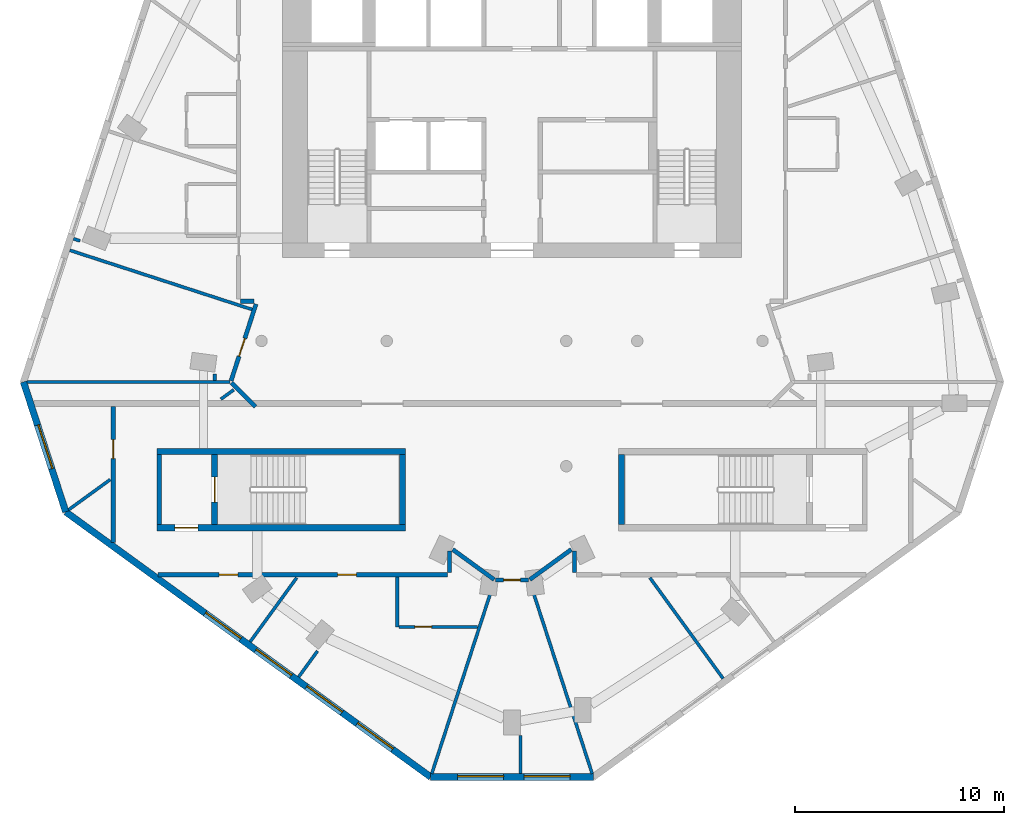
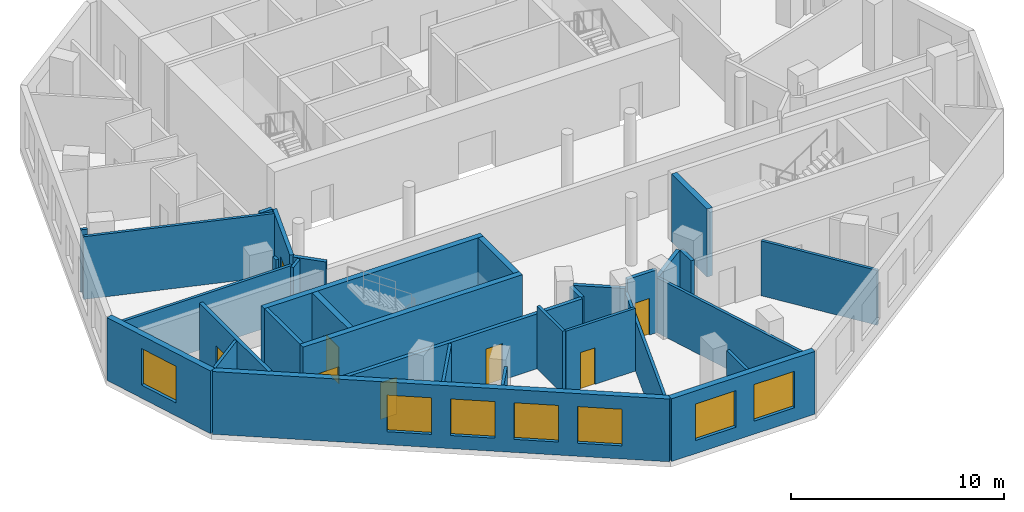
# One storey, part 2 of 8: 33 walls, 8 doors, 7 windows, 15 openings.
"""IFC4 building model written with IfcOpenShell, lengths in metres."""

from ifc_helpers import new_model, si_unit, direction, frame, frame_2d, origin, place, context, subcontext, project, spatial, rectangle, extrude, material, layer, layer_set, type_object, element, fill, save


model = new_model("IFC4")

# Units and contexts
model_context = context("Model", 3, precision=1e-05, world=origin(), true_north=direction((0.0, 1.0)))
body_context = subcontext(model_context, "Body", "Model", "MODEL_VIEW")
ifc_project = project(units=[si_unit("LENGTHUNIT", "METRE"), si_unit("AREAUNIT", "SQUARE_METRE"), si_unit("VOLUMEUNIT", "CUBIC_METRE"), si_unit("PLANEANGLEUNIT", "RADIAN"), si_unit("MASSUNIT", "GRAM", prefix="KILO")], contexts=[model_context])

# Site, building, storey
site_placement = place(None, origin())
site = spatial("IfcSite", under=ifc_project, at=site_placement, CompositionType="ELEMENT")
building_placement = place(site_placement, origin())
building = spatial("IfcBuilding", under=site, at=building_placement, Name="White Candle Pilgrim Tower", CompositionType="ELEMENT")
storey_placement = place(building_placement, frame((0.0, 0.0, 263.89990234375)))
storey = spatial("IfcBuildingStorey", under=building, at=storey_placement, Name="L62", CompositionType="ELEMENT", Elevation=263.89990234375)

# Wall
ifc_material_1 = material(Name="Concrete C50/60", Category="concrete")
ifc_layer_1 = layer(ifc_material_1, 0.199951171875)
ifc_layer_set_1 = layer_set([ifc_layer_1], Name="Core wall 200 mm Concrete C50/60")
wall_type_1 = type_object("IfcWallType", Name="Core wall 200 mm Concrete C50/60", PredefinedType="SHEAR", material=ifc_layer_set_1)
wall_1_placement = place(storey_placement, frame((53.10009765625, 58.199951171875, 0.0), z_axis=(0.0, 0.0, 1.0), x_axis=(0.0, 1.0, 0.0)))
element("IfcWall", 1, at=wall_1_placement, inside=storey, type_object=wall_type_1, Name="WL-L62-C03", PredefinedType="SHEAR", context=body_context, shape_type="SweptSolid", body=[
    extrude(rectangle(XDim=3.35009765625, YDim=0.199951171875, at=frame_2d((1.675048828125, 0.0))), origin(), (0.0, 0.0, 1.0), 3.900146484375),
])

# Wall, opening, door
ifc_material_2 = material(Name="Gypsum board on steel studs", Category="steel")
ifc_layer_2 = layer(ifc_material_2, 0.199951171875)
ifc_layer_set_2 = layer_set([ifc_layer_2], Name="Corridor wall 200 mm EI 45")
wall_type_2 = type_object("IfcWallType", Name="Corridor wall 200 mm EI 45", PredefinedType="PARTITIONING", material=ifc_layer_set_2)
wall_2_placement = place(storey_placement, frame((50.89990234375, 57.3544921875, 0.0), z_axis=(0.0, 0.0, 1.0), x_axis=(0.0, 1.0, 0.0)))
wall_2 = element("IfcWall", 2, at=wall_2_placement, inside=storey, type_object=wall_type_2, Name="WL-L62-P002", PredefinedType="PARTITIONING", context=body_context, shape_type="SweptSolid", body=[
    extrude(rectangle(XDim=6.49560546875, YDim=0.199951171875, at=frame_2d((3.247802734375, 0.0))), origin(), (0.0, 0.0, 1.0), 3.60009765625),
])
opening_1_placement = place(wall_2_placement, frame((4.0146484375, 0.0, 0.0)))
opening_1 = element("IfcOpeningElement", 3, at=opening_1_placement, cuts=wall_2, Name="Opening T19-113", PredefinedType="OPENING", context=body_context, shape_type="SweptSolid", body=[
    extrude(rectangle(XDim=0.89990234375, YDim=2.10009765625, at=frame_2d((0.449951171875, 1.050048828125))), frame((0.0, 0.10986328125, 0.0), z_axis=(0.0, -1.0, 0.0), x_axis=(1.0, 0.0, 0.0)), (0.0, 0.0, 1.0), 0.219970703125),
])
ifc_material_3 = material(Name="Steel door leaf", Category="steel")
door_type_1 = type_object("IfcDoorType", Name="Fire door 900 x 2100 EI 30", OperationType="NOTDEFINED", PredefinedType="DOOR", material=ifc_material_3)
door_1_placement = place(opening_1_placement, origin())
door_1 = element("IfcDoor", 4, at=door_1_placement, inside=storey, type_object=door_type_1, Name="Door T19-113", OperationType="SINGLE_SWING_LEFT", OverallHeight=2.10009765625, OverallWidth=0.89990234375, PredefinedType="DOOR", context=body_context, shape_type="SweptSolid", body=[
    extrude(rectangle(XDim=0.89990234375, YDim=2.10009765625, at=frame_2d((0.449951171875, 1.050048828125))), frame((0.0, 0.02490234375, 0.0), z_axis=(0.0, -1.0, 0.0), x_axis=(1.0, 0.0, 0.0)), (0.0, 0.0, 1.0), 0.050048828125),
])
fill(opening_1, door_1)

# Wall
wall_3_placement = place(storey_placement, frame((57.7099609375, 63.85009765625, 0.0), z_axis=(0.0, 0.0, 1.0), x_axis=(-0.70635124515, 0.707861510802, 0.0)))
element("IfcWall", 5, at=wall_3_placement, inside=storey, type_object=wall_type_2, Name="WL-L62-P003", PredefinedType="PARTITIONING", context=body_context, shape_type="SweptSolid", body=[
    extrude(rectangle(XDim=1.616455078125, YDim=0.199951171875, at=frame_2d((0.80810546875, 0.0))), origin(), (0.0, 0.0, 1.0), 3.60009765625),
])

# Wall, opening, door
wall_4_placement = place(storey_placement, frame((56.543701171875, 65.095947265625, 0.0), z_axis=(0.0, 0.0, 1.0), x_axis=(0.309050338142, 0.951045681602, 0.0)))
wall_4 = element("IfcWall", 6, at=wall_4_placement, inside=storey, type_object=wall_type_2, Name="WL-L62-P004", PredefinedType="PARTITIONING", context=body_context, shape_type="SweptSolid", body=[
    extrude(rectangle(XDim=3.862060546875, YDim=0.199951171875, at=frame_2d((1.93115234375, 0.0))), origin(), (0.0, 0.0, 1.0), 3.60009765625),
])
opening_2_placement = place(wall_4_placement, frame((1.231201171875, 0.0, 0.0)))
opening_2 = element("IfcOpeningElement", 7, at=opening_2_placement, cuts=wall_4, Name="Opening T19-114", PredefinedType="OPENING", context=body_context, shape_type="SweptSolid", body=[
    extrude(rectangle(XDim=0.89990234375, YDim=2.10009765625, at=frame_2d((0.449951171875, 1.050048828125))), frame((0.0, 0.10986328125, 0.0), z_axis=(0.0, -1.0, 0.0), x_axis=(1.0, 0.0, 0.0)), (0.0, 0.0, 1.0), 0.219970703125),
])
door_2_placement = place(opening_2_placement, origin())
door_2 = element("IfcDoor", 8, at=door_2_placement, inside=storey, type_object=door_type_1, Name="Door T19-114", OperationType="SINGLE_SWING_RIGHT", OverallHeight=2.10009765625, OverallWidth=0.89990234375, PredefinedType="DOOR", context=body_context, shape_type="SweptSolid", body=[
    extrude(rectangle(XDim=0.89990234375, YDim=2.10009765625, at=frame_2d((0.449951171875, 1.050048828125))), frame((0.0, 0.02490234375, 0.0), z_axis=(0.0, -1.0, 0.0), x_axis=(1.0, 0.0, 0.0)), (0.0, 0.0, 1.0), 0.050048828125),
])
fill(opening_2, door_2)

# Walls
wall_5_placement = place(storey_placement, frame((57.64208984375, 68.89990234375, 0.0), z_axis=(0.0, 0.0, 1.0), x_axis=(-1.0, 0.0, 0.0)))
element("IfcWall", 9, at=wall_5_placement, inside=storey, type_object=wall_type_2, Name="WL-L62-P005", PredefinedType="PARTITIONING", context=body_context, shape_type="SweptSolid", body=[
    extrude(rectangle(XDim=0.64208984375, YDim=0.199951171875, at=frame_2d((0.321044921875, 0.0))), origin(), (0.0, 0.0, 1.0), 3.60009765625),
])
wall_6_placement = place(storey_placement, frame((73.0, 55.89990234375, 0.0), z_axis=(0.0, 0.0, 1.0), x_axis=(0.0, 1.0, 0.0)))
element("IfcWall", 10, at=wall_6_placement, inside=storey, type_object=wall_type_2, Name="WL-L62-P013", PredefinedType="PARTITIONING", context=body_context, shape_type="SweptSolid", body=[
    extrude(rectangle(XDim=1.03173828125, YDim=0.199951171875, at=frame_2d((0.515869140625, 0.0))), origin(), (0.0, 0.0, 1.0), 3.10009765625),
])
wall_7_placement = place(storey_placement, frame((72.84130859375, 57.012451171875, 0.0), z_axis=(0.0, 0.0, 1.0), x_axis=(-0.809028134854, -0.587769918433, 0.0)))
element("IfcWall", 11, at=wall_7_placement, inside=storey, type_object=wall_type_2, Name="WL-L62-P014", PredefinedType="PARTITIONING", context=body_context, shape_type="SweptSolid", body=[
    extrude(rectangle(XDim=2.457275390625, YDim=0.199951171875, at=frame_2d((1.228515625, 0.0))), origin(), (0.0, 0.0, 1.0), 3.10009765625),
])

# Wall, opening, door
wall_8_placement = place(storey_placement, frame((70.79443359375, 55.549072265625, 0.0), z_axis=(0.0, 0.0, 1.0), x_axis=(-1.0, 0.0, 0.0)))
wall_8 = element("IfcWall", 12, at=wall_8_placement, inside=storey, type_object=wall_type_2, Name="WL-L62-P015", PredefinedType="PARTITIONING", context=body_context, shape_type="SweptSolid", body=[
    extrude(rectangle(XDim=1.5888671875, YDim=0.199951171875, at=frame_2d((0.79443359375, 0.0))), origin(), (0.0, 0.0, 1.0), 3.60009765625),
])
opening_3_placement = place(wall_8_placement, frame((0.394287109375, 0.0, 0.0)))
opening_3 = element("IfcOpeningElement", 13, at=opening_3_placement, cuts=wall_8, Name="Opening T19-106", PredefinedType="OPENING", context=body_context, shape_type="SweptSolid", body=[
    extrude(rectangle(XDim=0.800048828125, YDim=2.10009765625, at=frame_2d((0.39990234375, 1.050048828125))), frame((0.0, 0.10986328125, 0.0), z_axis=(0.0, -1.0, 0.0), x_axis=(1.0, 0.0, 0.0)), (0.0, 0.0, 1.0), 0.219970703125),
])
door_type_2 = type_object("IfcDoorType", Name="Fire door 800 x 2100 EI 30", OperationType="NOTDEFINED", PredefinedType="DOOR", material=ifc_material_3)
door_3_placement = place(opening_3_placement, origin())
door_3 = element("IfcDoor", 14, at=door_3_placement, inside=storey, type_object=door_type_2, Name="Door T19-106", OperationType="SINGLE_SWING_RIGHT", OverallHeight=2.10009765625, OverallWidth=0.800048828125, PredefinedType="DOOR", context=body_context, shape_type="SweptSolid", body=[
    extrude(rectangle(XDim=0.800048828125, YDim=2.10009765625, at=frame_2d((0.39990234375, 1.050048828125))), frame((0.0, 0.02490234375, 0.0), z_axis=(0.0, -1.0, 0.0), x_axis=(1.0, 0.0, 0.0)), (0.0, 0.0, 1.0), 0.050048828125),
])
fill(opening_3, door_3)

# Walls
wall_9_placement = place(storey_placement, frame((69.146728515625, 55.568115234375, 0.0), z_axis=(0.0, 0.0, 1.0), x_axis=(-0.809028134854, 0.587769918433, 0.0)))
element("IfcWall", 15, at=wall_9_placement, inside=storey, type_object=wall_type_2, Name="WL-L62-P016", PredefinedType="PARTITIONING", context=body_context, shape_type="SweptSolid", body=[
    extrude(rectangle(XDim=2.457275390625, YDim=0.199951171875, at=frame_2d((1.228515625, 0.0))), origin(), (0.0, 0.0, 1.0), 3.10009765625),
])
wall_10_placement = place(storey_placement, frame((67.0, 56.931640625, 0.0), z_axis=(0.0, 0.0, 1.0), x_axis=(0.0, -1.0, 0.0)))
element("IfcWall", 16, at=wall_10_placement, inside=storey, type_object=wall_type_2, Name="WL-L62-P017", PredefinedType="PARTITIONING", context=body_context, shape_type="SweptSolid", body=[
    extrude(rectangle(XDim=1.03173828125, YDim=0.199951171875, at=frame_2d((0.515869140625, 0.0))), origin(), (0.0, 0.0, 1.0), 3.10009765625),
])

# Wall, openings, doors
wall_11_placement = place(storey_placement, frame((66.89990234375, 55.800048828125, 0.0), z_axis=(0.0, 0.0, 1.0), x_axis=(-1.0, 0.0, 0.0)))
wall_11 = element("IfcWall", 17, at=wall_11_placement, inside=storey, type_object=wall_type_2, Name="WL-L62-P018", PredefinedType="PARTITIONING", context=body_context, shape_type="SweptSolid", body=[
    extrude(rectangle(XDim=13.8603515625, YDim=0.199951171875, at=frame_2d((6.93017578125, 0.0))), origin(), (0.0, 0.0, 1.0), 3.150146484375),
])
opening_4_placement = place(wall_11_placement, frame((10.03515625, 0.0, 0.0)))
opening_4 = element("IfcOpeningElement", 18, at=opening_4_placement, cuts=wall_11, Name="Opening T19-103", PredefinedType="OPENING", context=body_context, shape_type="SweptSolid", body=[
    extrude(rectangle(XDim=0.89990234375, YDim=2.10009765625, at=frame_2d((0.449951171875, 1.050048828125))), frame((0.0, 0.10986328125, 0.0), z_axis=(0.0, -1.0, 0.0), x_axis=(1.0, 0.0, 0.0)), (0.0, 0.0, 1.0), 0.219970703125),
])
opening_5_placement = place(wall_11_placement, frame((4.35498046875, 0.0, 0.0)))
opening_5 = element("IfcOpeningElement", 19, at=opening_5_placement, cuts=wall_11, Name="Opening T19-105", PredefinedType="OPENING", context=body_context, shape_type="SweptSolid", body=[
    extrude(rectangle(XDim=0.89990234375, YDim=2.10009765625, at=frame_2d((0.449951171875, 1.050048828125))), frame((0.0, 0.10986328125, 0.0), z_axis=(0.0, -1.0, 0.0), x_axis=(1.0, 0.0, 0.0)), (0.0, 0.0, 1.0), 0.219970703125),
])
door_4_placement = place(opening_4_placement, origin())
door_4 = element("IfcDoor", 20, at=door_4_placement, inside=storey, type_object=door_type_1, Name="Door T19-103", OperationType="SINGLE_SWING_LEFT", OverallHeight=2.10009765625, OverallWidth=0.89990234375, PredefinedType="DOOR", context=body_context, shape_type="SweptSolid", body=[
    extrude(rectangle(XDim=0.89990234375, YDim=2.10009765625, at=frame_2d((0.449951171875, 1.050048828125))), frame((0.0, 0.02490234375, 0.0), z_axis=(0.0, -1.0, 0.0), x_axis=(1.0, 0.0, 0.0)), (0.0, 0.0, 1.0), 0.050048828125),
])
fill(opening_4, door_4)
door_5_placement = place(opening_5_placement, origin())
door_5 = element("IfcDoor", 21, at=door_5_placement, inside=storey, type_object=door_type_1, Name="Door T19-105", OperationType="SINGLE_SWING_LEFT", OverallHeight=2.10009765625, OverallWidth=0.89990234375, PredefinedType="DOOR", context=body_context, shape_type="SweptSolid", body=[
    extrude(rectangle(XDim=0.89990234375, YDim=2.10009765625, at=frame_2d((0.449951171875, 1.050048828125))), frame((0.0, 0.02490234375, 0.0), z_axis=(0.0, -1.0, 0.0), x_axis=(1.0, 0.0, 0.0)), (0.0, 0.0, 1.0), 0.050048828125),
])
fill(opening_5, door_5)

# Wall, opening, window
ifc_material_4 = material(Name="Precast concrete C40/50", Category="concrete")
ifc_layer_3 = layer(ifc_material_4, 0.320068359375)
ifc_layer_set_3 = layer_set([ifc_layer_3], Name="Facade wall EW1 precast concrete C40/50 pier wall with timber-lined reveals")
wall_type_3 = type_object("IfcWallType", Name="Facade wall EW1 precast concrete C40/50 pier wall with timber-lined reveals", PredefinedType="SOLIDWALL", material=ifc_layer_set_3)
wall_12_placement = place(storey_placement, frame((46.59912109375, 65.03759765625, 0.0), z_axis=(0.0, 0.0, 1.0), x_axis=(0.309024511065, -0.951054073942, 0.0)))
wall_12 = element("IfcWall", 22, at=wall_12_placement, inside=storey, type_object=wall_type_3, Name="Facade wall L62 W chamfer", PredefinedType="SOLIDWALL", context=body_context, shape_type="SweptSolid", body=[
    extrude(rectangle(XDim=6.546142578125, YDim=0.320068359375, at=frame_2d((3.27294921875, 0.0))), origin(), (0.0, 0.0, 1.0), 3.60009765625),
])
opening_6_placement = place(wall_12_placement, frame((2.173095703125, 0.0, 0.75)))
opening_6 = element("IfcOpeningElement", 23, at=opening_6_placement, cuts=wall_12, Name="Opening W4", PredefinedType="OPENING", context=body_context, shape_type="SweptSolid", body=[
    extrude(rectangle(XDim=2.199951171875, YDim=2.10009765625, at=frame_2d((1.10009765625, 1.050048828125))), frame((0.0, 0.169921875, 0.0), z_axis=(0.0, -1.0, 0.0), x_axis=(1.0, 0.0, 0.0)), (0.0, 0.0, 1.0), 0.340087890625),
])
ifc_material_5 = material(Name="Timber frame with triple glazing", Category="wood")
window_type_1 = type_object("IfcWindowType", Name="Window W4 2200x2100 timber frame triple glazing", PartitioningType="SINGLE_PANEL", PredefinedType="WINDOW", material=ifc_material_5)
window_1_placement = place(opening_6_placement, origin())
window_1 = element("IfcWindow", 24, at=window_1_placement, inside=storey, type_object=window_type_1, Name="Window W4 L62 W chamfer 1", OverallHeight=2.10009765625, OverallWidth=2.199951171875, PartitioningType="SINGLE_PANEL", PredefinedType="WINDOW", context=body_context, shape_type="SweptSolid", body=[
    extrude(rectangle(XDim=2.199951171875, YDim=2.10009765625, at=frame_2d((1.10009765625, 1.050048828125))), frame((0.0, 0.070068359375, 0.0), z_axis=(0.0, -1.0, 0.0), x_axis=(1.0, 0.0, 0.0)), (0.0, 0.0, 1.0), 0.06005859375),
])
fill(opening_6, window_1)

# Wall, openings, windows
wall_13_placement = place(storey_placement, frame((48.6220703125, 58.811767578125, 0.0), z_axis=(0.0, 0.0, 1.0), x_axis=(0.809016403759, -0.587786065205, 0.0)))
wall_13 = element("IfcWall", 25, at=wall_13_placement, inside=storey, type_object=wall_type_3, Name="Facade wall L62 SW", PredefinedType="SOLIDWALL", context=body_context, shape_type="SweptSolid", body=[
    extrude(rectangle(XDim=21.611083984375, YDim=0.320068359375, at=frame_2d((10.8056640625, 0.0))), origin(), (0.0, 0.0, 1.0), 3.60009765625),
])
opening_7_placement = place(wall_13_placement, frame((8.255615234375, 0.0, 0.75)))
opening_7 = element("IfcOpeningElement", 26, at=opening_7_placement, cuts=wall_13, Name="Opening W3", PredefinedType="OPENING", context=body_context, shape_type="SweptSolid", body=[
    extrude(rectangle(XDim=2.10009765625, YDim=2.10009765625, at=frame_2d((1.050048828125, 1.050048828125))), frame((0.0, 0.169921875, 0.0), z_axis=(0.0, -1.0, 0.0), x_axis=(1.0, 0.0, 0.0)), (0.0, 0.0, 1.0), 0.340087890625),
])
opening_8_placement = place(wall_13_placement, frame((11.255615234375, 0.0, 0.75)))
opening_8 = element("IfcOpeningElement", 27, at=opening_8_placement, cuts=wall_13, Name="Opening W3", PredefinedType="OPENING", context=body_context, shape_type="SweptSolid", body=[
    extrude(rectangle(XDim=2.10009765625, YDim=2.10009765625, at=frame_2d((1.050048828125, 1.050048828125))), frame((0.0, 0.169921875, 0.0), z_axis=(0.0, -1.0, 0.0), x_axis=(1.0, 0.0, 0.0)), (0.0, 0.0, 1.0), 0.340087890625),
])
opening_9_placement = place(wall_13_placement, frame((14.255615234375, 0.0, 0.75)))
opening_9 = element("IfcOpeningElement", 28, at=opening_9_placement, cuts=wall_13, Name="Opening W3", PredefinedType="OPENING", context=body_context, shape_type="SweptSolid", body=[
    extrude(rectangle(XDim=2.10009765625, YDim=2.10009765625, at=frame_2d((1.050048828125, 1.050048828125))), frame((0.0, 0.169921875, 0.0), z_axis=(0.0, -1.0, 0.0), x_axis=(1.0, 0.0, 0.0)), (0.0, 0.0, 1.0), 0.340087890625),
])
opening_10_placement = place(wall_13_placement, frame((17.255615234375, 0.0, 0.75)))
opening_10 = element("IfcOpeningElement", 29, at=opening_10_placement, cuts=wall_13, Name="Opening W3", PredefinedType="OPENING", context=body_context, shape_type="SweptSolid", body=[
    extrude(rectangle(XDim=2.10009765625, YDim=2.10009765625, at=frame_2d((1.050048828125, 1.050048828125))), frame((0.0, 0.169921875, 0.0), z_axis=(0.0, -1.0, 0.0), x_axis=(1.0, 0.0, 0.0)), (0.0, 0.0, 1.0), 0.340087890625),
])
window_type_2 = type_object("IfcWindowType", Name="Window W3 2100x2100 timber frame triple glazing", PartitioningType="SINGLE_PANEL", PredefinedType="WINDOW", material=ifc_material_5)
window_2_placement = place(opening_7_placement, origin())
window_2 = element("IfcWindow", 30, at=window_2_placement, inside=storey, type_object=window_type_2, Name="Window W3 L62 SW 3", OverallHeight=2.10009765625, OverallWidth=2.10009765625, PartitioningType="SINGLE_PANEL", PredefinedType="WINDOW", context=body_context, shape_type="SweptSolid", body=[
    extrude(rectangle(XDim=2.10009765625, YDim=2.10009765625, at=frame_2d((1.050048828125, 1.050048828125))), frame((0.0, 0.070068359375, 0.0), z_axis=(0.0, -1.0, 0.0), x_axis=(1.0, 0.0, 0.0)), (0.0, 0.0, 1.0), 0.06005859375),
])
fill(opening_7, window_2)
window_3_placement = place(opening_8_placement, origin())
window_3 = element("IfcWindow", 31, at=window_3_placement, inside=storey, type_object=window_type_2, Name="Window W3 L62 SW 4", OverallHeight=2.10009765625, OverallWidth=2.10009765625, PartitioningType="SINGLE_PANEL", PredefinedType="WINDOW", context=body_context, shape_type="SweptSolid", body=[
    extrude(rectangle(XDim=2.10009765625, YDim=2.10009765625, at=frame_2d((1.050048828125, 1.050048828125))), frame((0.0, 0.070068359375, 0.0), z_axis=(0.0, -1.0, 0.0), x_axis=(1.0, 0.0, 0.0)), (0.0, 0.0, 1.0), 0.06005859375),
])
fill(opening_8, window_3)
window_4_placement = place(opening_9_placement, origin())
window_4 = element("IfcWindow", 32, at=window_4_placement, inside=storey, type_object=window_type_2, Name="Window W3 L62 SW 5", OverallHeight=2.10009765625, OverallWidth=2.10009765625, PartitioningType="SINGLE_PANEL", PredefinedType="WINDOW", context=body_context, shape_type="SweptSolid", body=[
    extrude(rectangle(XDim=2.10009765625, YDim=2.10009765625, at=frame_2d((1.050048828125, 1.050048828125))), frame((0.0, 0.070068359375, 0.0), z_axis=(0.0, -1.0, 0.0), x_axis=(1.0, 0.0, 0.0)), (0.0, 0.0, 1.0), 0.06005859375),
])
fill(opening_9, window_4)
window_5_placement = place(opening_10_placement, origin())
window_5 = element("IfcWindow", 33, at=window_5_placement, inside=storey, type_object=window_type_2, Name="Window W3 L62 SW 6", OverallHeight=2.10009765625, OverallWidth=2.10009765625, PartitioningType="SINGLE_PANEL", PredefinedType="WINDOW", context=body_context, shape_type="SweptSolid", body=[
    extrude(rectangle(XDim=2.10009765625, YDim=2.10009765625, at=frame_2d((1.050048828125, 1.050048828125))), frame((0.0, 0.070068359375, 0.0), z_axis=(0.0, -1.0, 0.0), x_axis=(1.0, 0.0, 0.0)), (0.0, 0.0, 1.0), 0.06005859375),
])
fill(opening_10, window_5)

wall_14_placement = place(storey_placement, frame((66.105712890625, 46.109130859375, 0.0), z_axis=(0.0, 0.0, 1.0), x_axis=(1.0, 0.0, 0.0)))
wall_14 = element("IfcWall", 34, at=wall_14_placement, inside=storey, type_object=wall_type_3, Name="Facade wall L62 S chamfer", PredefinedType="SOLIDWALL", context=body_context, shape_type="SweptSolid", body=[
    extrude(rectangle(XDim=7.78857421875, YDim=0.320068359375, at=frame_2d((3.894287109375, 0.0))), origin(), (0.0, 0.0, 1.0), 3.60009765625),
])
opening_11_placement = place(wall_14_placement, frame((1.294189453125, 0.0, 0.75)))
opening_11 = element("IfcOpeningElement", 35, at=opening_11_placement, cuts=wall_14, Name="Opening W4", PredefinedType="OPENING", context=body_context, shape_type="SweptSolid", body=[
    extrude(rectangle(XDim=2.199951171875, YDim=2.10009765625, at=frame_2d((1.10009765625, 1.050048828125))), frame((0.0, 0.169921875, 0.0), z_axis=(0.0, -1.0, 0.0), x_axis=(1.0, 0.0, 0.0)), (0.0, 0.0, 1.0), 0.340087890625),
])
opening_12_placement = place(wall_14_placement, frame((4.479248046875, 0.0, 0.75)))
opening_12 = element("IfcOpeningElement", 36, at=opening_12_placement, cuts=wall_14, Name="Opening W4", PredefinedType="OPENING", context=body_context, shape_type="SweptSolid", body=[
    extrude(rectangle(XDim=2.199951171875, YDim=2.10009765625, at=frame_2d((1.10009765625, 1.050048828125))), frame((0.0, 0.169921875, 0.0), z_axis=(0.0, -1.0, 0.0), x_axis=(1.0, 0.0, 0.0)), (0.0, 0.0, 1.0), 0.340087890625),
])
window_6_placement = place(opening_11_placement, origin())
window_6 = element("IfcWindow", 37, at=window_6_placement, inside=storey, type_object=window_type_1, Name="Window W4 L62 S chamfer 1", OverallHeight=2.10009765625, OverallWidth=2.199951171875, PartitioningType="SINGLE_PANEL", PredefinedType="WINDOW", context=body_context, shape_type="SweptSolid", body=[
    extrude(rectangle(XDim=2.199951171875, YDim=2.10009765625, at=frame_2d((1.10009765625, 1.050048828125))), frame((0.0, 0.070068359375, 0.0), z_axis=(0.0, -1.0, 0.0), x_axis=(1.0, 0.0, 0.0)), (0.0, 0.0, 1.0), 0.06005859375),
])
fill(opening_11, window_6)
window_7_placement = place(opening_12_placement, origin())
window_7 = element("IfcWindow", 38, at=window_7_placement, inside=storey, type_object=window_type_1, Name="Window W4 L62 S chamfer 2", OverallHeight=2.10009765625, OverallWidth=2.199951171875, PartitioningType="SINGLE_PANEL", PredefinedType="WINDOW", context=body_context, shape_type="SweptSolid", body=[
    extrude(rectangle(XDim=2.199951171875, YDim=2.10009765625, at=frame_2d((1.10009765625, 1.050048828125))), frame((0.0, 0.070068359375, 0.0), z_axis=(0.0, -1.0, 0.0), x_axis=(1.0, 0.0, 0.0)), (0.0, 0.0, 1.0), 0.06005859375),
])
fill(opening_12, window_7)

# Walls
ifc_layer_4 = layer(ifc_material_2, 0.14990234375)
ifc_layer_set_4 = layer_set([ifc_layer_4], Name="Partition 150 mm EI 60")
wall_type_4 = type_object("IfcWallType", Name="Partition 150 mm EI 60", PredefinedType="PARTITIONING", material=ifc_layer_set_4)
wall_15_placement = place(storey_placement, frame((46.767333984375, 65.03759765625, 0.0), z_axis=(0.0, 0.0, 1.0), x_axis=(1.0, 0.0, 0.0)))
element("IfcWall", 39, at=wall_15_placement, inside=storey, type_object=wall_type_4, Name="WL-L62-P020", PredefinedType="PARTITIONING", context=body_context, shape_type="SweptSolid", body=[
    extrude(rectangle(XDim=9.724853515625, YDim=0.14990234375, at=frame_2d((4.8623046875, 0.0))), origin(), (0.0, 0.0, 1.0), 3.10009765625),
])
wall_16_placement = place(storey_placement, frame((48.758056640625, 58.91064453125, 0.0), z_axis=(0.0, 0.0, 1.0), x_axis=(0.808983967864, 0.587830706699, 0.0)))
element("IfcWall", 40, at=wall_16_placement, inside=storey, type_object=wall_type_4, Name="WL-L62-P021", PredefinedType="PARTITIONING", context=body_context, shape_type="SweptSolid", body=[
    extrude(rectangle(XDim=2.469482421875, YDim=0.14990234375, at=frame_2d((1.23486328125, 0.0))), origin(), (0.0, 0.0, 1.0), 3.60009765625),
])
wall_17_placement = place(storey_placement, frame((56.052978515625, 64.210693359375, 0.0), z_axis=(0.0, 0.0, 1.0), x_axis=(0.808985495234, 0.587828604698, 0.0)))
element("IfcWall", 41, at=wall_17_placement, inside=storey, type_object=wall_type_4, Name="WL-L62-P022", PredefinedType="PARTITIONING", context=body_context, shape_type="SweptSolid", body=[
    extrude(rectangle(XDim=0.76171875, YDim=0.14990234375, at=frame_2d((0.380859375, 0.0))), origin(), (0.0, 0.0, 1.0), 3.60009765625),
])
wall_18_placement = place(storey_placement, frame((66.15771484375, 46.26904296875, 0.0), z_axis=(0.0, 0.0, 1.0), x_axis=(0.309017584441, 0.951056324571, 0.0)))
element("IfcWall", 42, at=wall_18_placement, inside=storey, type_object=wall_type_4, Name="WL-L62-P023", PredefinedType="PARTITIONING", context=body_context, shape_type="SweptSolid", body=[
    extrude(rectangle(XDim=9.672607421875, YDim=0.14990234375, at=frame_2d((4.83642578125, 0.0))), origin(), (0.0, 0.0, 1.0), 2.900146484375),
])
wall_19_placement = place(storey_placement, frame((73.84228515625, 46.26904296875, 0.0), z_axis=(0.0, 0.0, 1.0), x_axis=(-0.309017584441, 0.951056324571, 0.0)))
element("IfcWall", 43, at=wall_19_placement, inside=storey, type_object=wall_type_4, Name="WL-L62-P024", PredefinedType="PARTITIONING", context=body_context, shape_type="SweptSolid", body=[
    extrude(rectangle(XDim=9.672607421875, YDim=0.14990234375, at=frame_2d((4.83642578125, 0.0))), origin(), (0.0, 0.0, 1.0), 3.150146484375),
])
wall_20_placement = place(storey_placement, frame((48.81689453125, 71.345458984375, 0.0), z_axis=(0.0, 0.0, 1.0), x_axis=(0.951060058909, -0.309006091118, 0.0)))
element("IfcWall", 44, at=wall_20_placement, inside=storey, type_object=wall_type_4, Name="WL-L62-P030", PredefinedType="PARTITIONING", context=body_context, shape_type="SweptSolid", body=[
    extrude(rectangle(XDim=9.179931640625, YDim=0.14990234375, at=frame_2d((4.58984375, 0.0))), origin(), (0.0, 0.0, 1.0), 3.60009765625),
])
wall_21_placement = place(storey_placement, frame((57.4580078125, 52.58984375, 0.0), z_axis=(0.0, 0.0, 1.0), x_axis=(0.587757946998, 0.809036832129, 0.0)))
element("IfcWall", 45, at=wall_21_placement, inside=storey, type_object=wall_type_4, Name="WL-L62-P037", PredefinedType="PARTITIONING", context=body_context, shape_type="SweptSolid", body=[
    extrude(rectangle(XDim=3.789794921875, YDim=0.14990234375, at=frame_2d((1.89501953125, 0.0))), origin(), (0.0, 0.0, 1.0), 3.150146484375),
])
wall_22_placement = place(storey_placement, frame((64.5, 55.699951171875, 0.0), z_axis=(0.0, 0.0, 1.0), x_axis=(0.0, -1.0, 0.0)))
element("IfcWall", 46, at=wall_22_placement, inside=storey, type_object=wall_type_4, Name="WL-L62-P038", PredefinedType="PARTITIONING", context=body_context, shape_type="SweptSolid", body=[
    extrude(rectangle(XDim=2.39990234375, YDim=0.14990234375, at=frame_2d((1.199951171875, 0.0))), origin(), (0.0, 0.0, 1.0), 3.60009765625),
])

# Wall, opening, door
wall_23_placement = place(storey_placement, frame((68.339111328125, 53.300048828125, 0.0), z_axis=(0.0, 0.0, 1.0), x_axis=(-1.0, 0.0, 0.0)))
wall_23 = element("IfcWall", 47, at=wall_23_placement, inside=storey, type_object=wall_type_4, Name="WL-L62-P039", PredefinedType="PARTITIONING", context=body_context, shape_type="SweptSolid", body=[
    extrude(rectangle(XDim=3.76416015625, YDim=0.14990234375, at=frame_2d((1.882080078125, 0.0))), origin(), (0.0, 0.0, 1.0), 3.60009765625),
])
opening_13_placement = place(wall_23_placement, frame((2.189208984375, 0.0, 0.0)))
opening_13 = element("IfcOpeningElement", 48, at=opening_13_placement, cuts=wall_23, Name="Opening T19-104", PredefinedType="OPENING", context=body_context, shape_type="SweptSolid", body=[
    extrude(rectangle(XDim=0.800048828125, YDim=2.10009765625, at=frame_2d((0.39990234375, 1.050048828125))), frame((0.0, 0.0849609375, 0.0), z_axis=(0.0, -1.0, 0.0), x_axis=(1.0, 0.0, 0.0)), (0.0, 0.0, 1.0), 0.169921875),
])
door_6_placement = place(opening_13_placement, origin())
door_6 = element("IfcDoor", 49, at=door_6_placement, inside=storey, type_object=door_type_2, Name="Door T19-104", OperationType="SINGLE_SWING_RIGHT", OverallHeight=2.10009765625, OverallWidth=0.800048828125, PredefinedType="DOOR", context=body_context, shape_type="SweptSolid", body=[
    extrude(rectangle(XDim=0.800048828125, YDim=2.10009765625, at=frame_2d((0.39990234375, 1.050048828125))), frame((0.0, 0.02490234375, 0.0), z_axis=(0.0, -1.0, 0.0), x_axis=(1.0, 0.0, 0.0)), (0.0, 0.0, 1.0), 0.050048828125),
])
fill(opening_13, door_6)

# Walls
wall_24_placement = place(storey_placement, frame((80.114990234375, 50.826416015625, 0.0), z_axis=(0.0, 0.0, 1.0), x_axis=(-0.587772824374, 0.809026023641, 0.0)))
element("IfcWall", 50, at=wall_24_placement, inside=storey, type_object=wall_type_4, Name="WL-L62-P040", PredefinedType="PARTITIONING", context=body_context, shape_type="SweptSolid", body=[
    extrude(rectangle(XDim=5.9697265625, YDim=0.14990234375, at=frame_2d((2.98486328125, 0.0))), origin(), (0.0, 0.0, 1.0), 3.150146484375),
])
wall_25_placement = place(storey_placement, frame((60.683349609375, 52.148681640625, 0.0), z_axis=(0.0, 0.0, 1.0), x_axis=(-0.587822598437, -0.808989859496, 0.0)))
element("IfcWall", 51, at=wall_25_placement, inside=storey, type_object=wall_type_4, Name="WL-L62-P047", PredefinedType="PARTITIONING", context=body_context, shape_type="SweptSolid", body=[
    extrude(rectangle(XDim=1.538818359375, YDim=0.14990234375, at=frame_2d((0.76953125, 0.0))), origin(), (0.0, 0.0, 1.0), 3.60009765625),
])
wall_26_placement = place(storey_placement, frame((70.409912109375, 48.10009765625, 0.0), z_axis=(0.0, 0.0, 1.0), x_axis=(0.0, -1.0, 0.0)))
element("IfcWall", 52, at=wall_26_placement, inside=storey, type_object=wall_type_4, Name="WL-L62-P048", PredefinedType="PARTITIONING", context=body_context, shape_type="SweptSolid", body=[
    extrude(rectangle(XDim=1.8310546875, YDim=0.14990234375, at=frame_2d((0.91552734375, 0.0))), origin(), (0.0, 0.0, 1.0), 3.60009765625),
])
wall_27_placement = place(storey_placement, frame((49.308349609375, 71.7958984375, 0.0), z_axis=(0.0, 0.0, 1.0), x_axis=(-0.951181521539, 0.308632002688, 0.0)))
element("IfcWall", 53, at=wall_27_placement, inside=storey, type_object=wall_type_4, Name="WL-L62-P051", PredefinedType="PARTITIONING", context=body_context, shape_type="SweptSolid", body=[
    extrude(rectangle(XDim=0.328369140625, YDim=0.14990234375, at=frame_2d((0.1640625, 0.0))), origin(), (0.0, 0.0, 1.0), 3.60009765625),
])
wall_28_placement = place(storey_placement, frame((55.75927734375, 65.4140625, 0.0), z_axis=(0.0, 0.0, 1.0), x_axis=(0.0, -1.0, 0.0)))
element("IfcWall", 54, at=wall_28_placement, inside=storey, type_object=wall_type_4, Name="WL-L62-P053", PredefinedType="PARTITIONING", context=body_context, shape_type="SweptSolid", body=[
    extrude(rectangle(XDim=0.30126953125, YDim=0.14990234375, at=frame_2d((0.150634765625, 0.0))), origin(), (0.0, 0.0, 1.0), 3.60009765625),
])

# Wall, opening, door
ifc_layer_5 = layer(ifc_material_1, 0.300048828125)
ifc_layer_set_5 = layer_set([ifc_layer_5], Name="Stair shaft wall 300 mm Concrete C50/60")
wall_type_5 = type_object("IfcWallType", Name="Stair shaft wall 300 mm Concrete C50/60", PredefinedType="SHEAR", material=ifc_layer_set_5)
wall_29_placement = place(storey_placement, frame((53.0, 58.050048828125, 0.0), z_axis=(0.0, 0.0, 1.0), x_axis=(1.0, 0.0, 0.0)))
wall_29 = element("IfcWall", 55, at=wall_29_placement, inside=storey, type_object=wall_type_5, Name="WL-L62-C01", PredefinedType="SHEAR", context=body_context, shape_type="SweptSolid", body=[
    extrude(rectangle(XDim=11.89990234375, YDim=0.300048828125, at=frame_2d((5.949951171875, 0.0))), origin(), (0.0, 0.0, 1.0), 3.900146484375),
])
opening_14_placement = place(wall_29_placement, frame((0.85009765625, 0.0, 0.0)))
opening_14 = element("IfcOpeningElement", 56, at=opening_14_placement, cuts=wall_29, Name="Opening T19-010", PredefinedType="OPENING", context=body_context, shape_type="SweptSolid", body=[
    extrude(rectangle(XDim=1.10009765625, YDim=2.10009765625, at=frame_2d((0.550048828125, 1.050048828125))), frame((0.0, 0.159912109375, 0.0), z_axis=(0.0, -1.0, 0.0), x_axis=(1.0, 0.0, 0.0)), (0.0, 0.0, 1.0), 0.320068359375),
])
door_type_3 = type_object("IfcDoorType", Name="Fire door 1100 x 2100 EI 60", OperationType="NOTDEFINED", PredefinedType="DOOR", material=ifc_material_3)
door_7_placement = place(opening_14_placement, origin())
door_7 = element("IfcDoor", 57, at=door_7_placement, inside=storey, type_object=door_type_3, Name="Door T19-010", OperationType="SINGLE_SWING_RIGHT", OverallHeight=2.10009765625, OverallWidth=1.10009765625, PredefinedType="DOOR", context=body_context, shape_type="SweptSolid", body=[
    extrude(rectangle(XDim=1.10009765625, YDim=2.10009765625, at=frame_2d((0.550048828125, 1.050048828125))), frame((0.0, 0.02490234375, 0.0), z_axis=(0.0, -1.0, 0.0), x_axis=(1.0, 0.0, 0.0)), (0.0, 0.0, 1.0), 0.050048828125),
])
fill(opening_14, door_7)

wall_30_placement = place(storey_placement, frame((55.75, 58.199951171875, 0.0), z_axis=(0.0, 0.0, 1.0), x_axis=(0.0, 1.0, 0.0)))
wall_30 = element("IfcWall", 58, at=wall_30_placement, inside=storey, type_object=wall_type_5, Name="WL-L62-C04", PredefinedType="SHEAR", context=body_context, shape_type="SweptSolid", body=[
    extrude(rectangle(XDim=3.35009765625, YDim=0.300048828125, at=frame_2d((1.675048828125, 0.0))), origin(), (0.0, 0.0, 1.0), 3.900146484375),
])
opening_15_placement = place(wall_30_placement, frame((1.074951171875, 0.0, 0.0)))
opening_15 = element("IfcOpeningElement", 59, at=opening_15_placement, cuts=wall_30, Name="Opening T19-011", PredefinedType="OPENING", context=body_context, shape_type="SweptSolid", body=[
    extrude(rectangle(XDim=1.199951171875, YDim=2.10009765625, at=frame_2d((0.60009765625, 1.050048828125))), frame((0.0, 0.159912109375, 0.0), z_axis=(0.0, -1.0, 0.0), x_axis=(1.0, 0.0, 0.0)), (0.0, 0.0, 1.0), 0.320068359375),
])
door_type_4 = type_object("IfcDoorType", Name="Fire door 1200 x 2100 EI 60", OperationType="NOTDEFINED", PredefinedType="DOOR", material=ifc_material_3)
door_8_placement = place(opening_15_placement, frame((1.199951171875, 0.0, 0.0), z_axis=(0.0, 0.0, 1.0), x_axis=(-1.0, 0.0, 0.0)))
door_8 = element("IfcDoor", 60, at=door_8_placement, inside=storey, type_object=door_type_4, Name="Door T19-011", OperationType="SINGLE_SWING_RIGHT", OverallHeight=2.10009765625, OverallWidth=1.199951171875, PredefinedType="DOOR", context=body_context, shape_type="SweptSolid", body=[
    extrude(rectangle(XDim=1.199951171875, YDim=2.10009765625, at=frame_2d((0.60009765625, 1.050048828125))), frame((0.0, 0.02490234375, 0.0), z_axis=(0.0, -1.0, 0.0), x_axis=(1.0, 0.0, 0.0)), (0.0, 0.0, 1.0), 0.050048828125),
])
fill(opening_15, door_8)

# Walls
for number, where, z_axis, x_axis, name in (
    (61, (64.75, 58.199951171875, 0.0), (0.0, 0.0, 1.0), (0.0, 1.0, 0.0), "WL-L62-C05"),
    (62, (75.25, 58.199951171875, 0.0), (0.0, 0.0, 1.0), (0.0, 1.0, 0.0), "WL-L62-C06"),
):
    element("IfcWall", number, at=place(storey_placement, frame(where, z_axis=z_axis, x_axis=x_axis)), inside=storey, type_object=wall_type_5, Name=name, PredefinedType="SHEAR", context=body_context, shape_type="SweptSolid", body=[
        extrude(rectangle(XDim=3.35009765625, YDim=0.300048828125, at=frame_2d((1.675048828125, 0.0))), origin(), (0.0, 0.0, 1.0), 3.900146484375),
    ])
wall_31_placement = place(storey_placement, frame((53.0, 61.699951171875, 0.0), z_axis=(0.0, 0.0, 1.0), x_axis=(1.0, 0.0, 0.0)))
element("IfcWall", 63, at=wall_31_placement, inside=storey, type_object=wall_type_5, Name="WL-L62-C09", PredefinedType="SHEAR", context=body_context, shape_type="SweptSolid", body=[
    extrude(rectangle(XDim=11.89990234375, YDim=0.300048828125, at=frame_2d((5.949951171875, 0.0))), origin(), (0.0, 0.0, 1.0), 3.900146484375),
])

save(model, "model.ifc")
